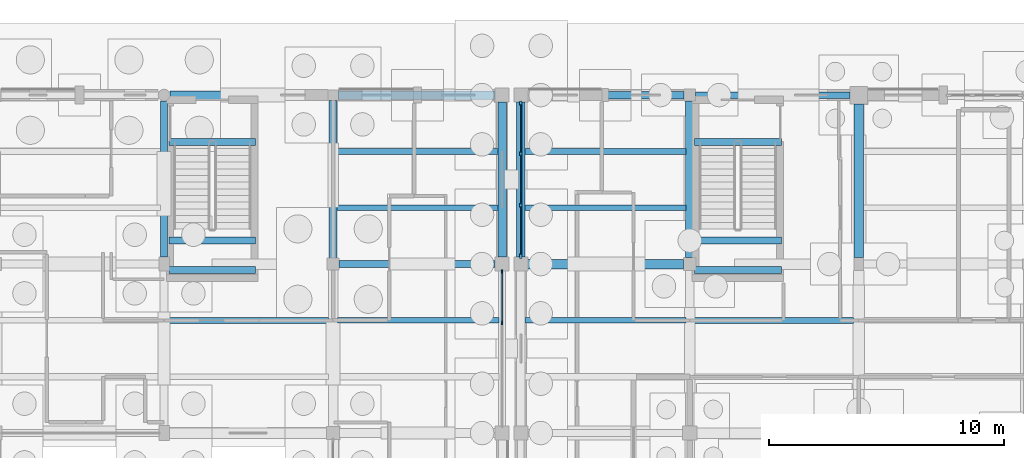
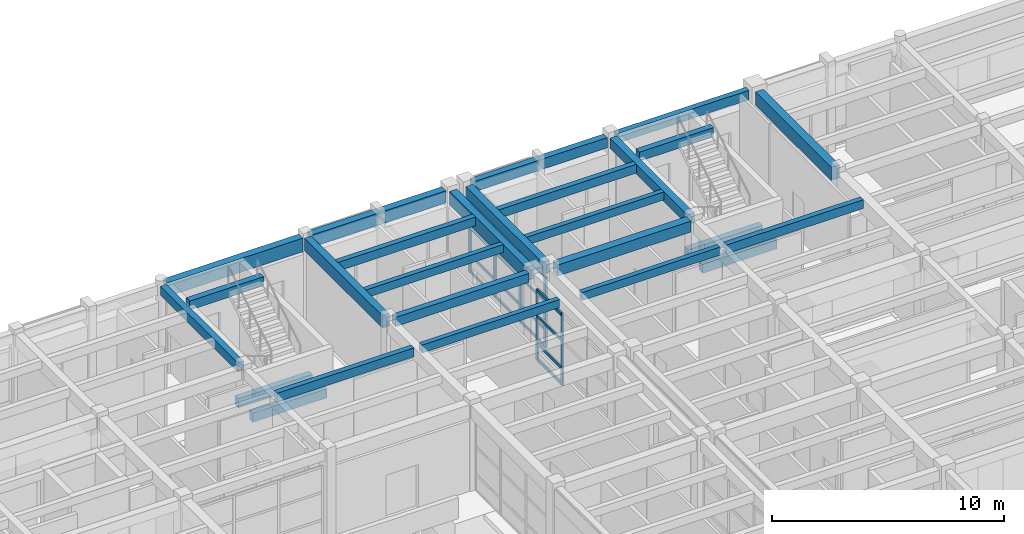
# One storey, part 71 of 143: 26 beams, 22 members, 2 elements without a shape of their own.
"""IFC4 building model written with IfcOpenShell, lengths in metres."""

import ifcopenshell
import ifcopenshell.guid

model = None  # the IFC model being written
_history = None  # IfcOwnerHistory: only IFC2X3 demands one
_inside = {}  # id of a spatial element -> (the spatial element, [elements in it])
_under = {}  # id of a project, library or spatial element -> (it, [spatial elements below it])
_declared = {}  # id of a project -> (the project, [libraries it declares])
_typed = {}  # id of a type object -> (the type object, [elements of that type])
_made_of = {}  # id of a material, layer set ... -> (it, [elements and type objects made of it])


def new_model(schema):
    """Start an empty IFC model of exactly this schema.

    Asked for "IFC4X3", IfcOpenShell would pick the latest addendum, in which some entities
    have other attributes; the version numbers below select the first issue.
    IFC2X3 requires an IfcOwnerHistory on every rooted entity: one is made here for all.
    """
    global model, _history
    if schema == "IFC4X3":
        model = ifcopenshell.file(schema_version=(4, 3, 0, 0))
    else:
        model = ifcopenshell.file(schema=schema)
    _inside.clear()
    _under.clear()
    _declared.clear()
    _typed.clear()
    _made_of.clear()
    _history = None
    if model.schema == "IFC2X3":
        org = make("IfcOrganization", Name="unknown")
        user = make(
            "IfcPersonAndOrganization",
            ThePerson=make("IfcPerson", FamilyName="unknown"),
            TheOrganization=org,
        )
        app = make(
            "IfcApplication",
            ApplicationDeveloper=org,
            Version="unknown",
            ApplicationFullName="unknown",
            ApplicationIdentifier="unknown",
        )
        _history = make(
            "IfcOwnerHistory",
            OwningUser=user,
            OwningApplication=app,
            ChangeAction="ADDED",
            CreationDate=0,
        )
    return model


def make(cls, **values):
    """One entity of the class cls with the attributes given. An attribute that is None is left unset."""
    return model.create_entity(
        cls, **{name: value for name, value in values.items() if value is not None}
    )


def rooted(cls, **values):
    """An entity with a GlobalId (a new one), such as an element, a storey or a relation."""
    return make(cls, GlobalId=ifcopenshell.guid.new(), OwnerHistory=_history, **values)


def si_unit(unit_type, name, prefix=None):
    """IfcSIUnit, for example si_unit("LENGTHUNIT", "METRE", prefix="MILLI")."""
    return make("IfcSIUnit", UnitType=unit_type, Prefix=prefix, Name=name)


def assignment(units):
    """IfcUnitAssignment: the units of a project."""
    return None if units is None else make("IfcUnitAssignment", Units=units)


def point(xyz):
    """IfcCartesianPoint."""
    return None if xyz is None else make("IfcCartesianPoint", Coordinates=xyz)


def direction(xyz):
    """IfcDirection."""
    return None if xyz is None else make("IfcDirection", DirectionRatios=xyz)


def frame(location, z_axis=None, x_axis=None):
    """IfcAxis2Placement3D, a coordinate frame: its origin and axes. An axis left out is left unset."""
    return make(
        "IfcAxis2Placement3D",
        Location=point(location),
        Axis=direction(z_axis),
        RefDirection=direction(x_axis),
    )


def frame_2d(location, x_axis=None):
    """IfcAxis2Placement2D, a coordinate frame in the plane: its origin and x axis."""
    return make(
        "IfcAxis2Placement2D", Location=point(location), RefDirection=direction(x_axis)
    )


def origin():
    """The frame at (0, 0, 0) with its axes left unset."""
    return frame((0.0, 0.0, 0.0))


def origin_2d():
    """The frame at (0, 0) in the plane with its x axis left unset."""
    return frame_2d((0.0, 0.0))


def place(relative_to, where):
    """IfcLocalPlacement: puts the frame where relative to a parent placement (None: the world)."""
    return make(
        "IfcLocalPlacement", PlacementRelTo=relative_to, RelativePlacement=where
    )


def context(
    kind, dimensions, precision=None, world=None, true_north=None, identifier=None
):
    """IfcGeometricRepresentationContext, for example the 3D "Model" context."""
    return make(
        "IfcGeometricRepresentationContext",
        ContextIdentifier=identifier,
        ContextType=kind,
        CoordinateSpaceDimension=dimensions,
        Precision=precision,
        WorldCoordinateSystem=world,
        TrueNorth=true_north,
    )


def subcontext(parent, identifier, kind, view, scale=None):
    """IfcGeometricRepresentationSubContext, for example "Body" below "Model"."""
    return make(
        "IfcGeometricRepresentationSubContext",
        ContextIdentifier=identifier,
        ContextType=kind,
        ParentContext=parent,
        TargetScale=scale,
        TargetView=view,
    )


def project(units=None, contexts=None):
    """IfcProject with its units and contexts."""
    return rooted(
        "IfcProject",
        Name="project",
        RepresentationContexts=contexts,
        UnitsInContext=assignment(units),
    )


def spatial(cls, under=None, at=None, **own):
    """A site, building, storey or space (cls), placed at a placement, below another one or the project."""
    s = rooted(cls, ObjectPlacement=at, **own)
    if under is not None:
        _under.setdefault(under.id(), (under, []))[1].append(s)
    return s


def profile(cls, at=None, kind="AREA", **sizes):
    """A parametric profile (cls). Its sizes go by their IFC names, for example OverallWidth=200.0."""
    return make(cls, ProfileType=kind, Position=at, **sizes)


def rectangle(**sizes):
    """IfcRectangleProfileDef."""
    return profile("IfcRectangleProfileDef", **sizes)


def extrude(swept, where, along, depth):
    """IfcExtrudedAreaSolid: the profile swept, set in the frame where, extruded along a direction by depth."""
    return make(
        "IfcExtrudedAreaSolid",
        SweptArea=swept,
        Position=where,
        ExtrudedDirection=direction(along),
        Depth=depth,
    )


def shape(context_of_items, identifier, shape_type, items):
    """IfcShapeRepresentation: the items that make up one representation, for example the "Body"."""
    return make(
        "IfcShapeRepresentation",
        ContextOfItems=context_of_items,
        RepresentationIdentifier=identifier,
        RepresentationType=shape_type,
        Items=items,
    )


def material(Name=None, Category=None):
    """IfcMaterial."""
    return make("IfcMaterial", Name=Name, Category=Category)


def material_profile(
    of_material, cross_section, Name=None, Category=None, Priority=None
):
    """IfcMaterialProfile: a cross section and its material."""
    return make(
        "IfcMaterialProfile",
        Name=Name,
        Material=of_material,
        Profile=cross_section,
        Priority=Priority,
        Category=Category,
    )


def profile_set(profiles, Name=None, composite=None):
    """IfcMaterialProfileSet."""
    return make(
        "IfcMaterialProfileSet",
        Name=Name,
        MaterialProfiles=profiles,
        CompositeProfile=composite,
    )


def made_of(thing, what):
    """Note that an element or type object is made of a material, layer set ...; save() writes the relation."""
    if what is not None:
        _made_of.setdefault(what.id(), (what, []))[1].append(thing)
    return thing


def type_object(cls, material=None, **own):
    """A type object (cls), such as IfcWallType, which elements share."""
    return made_of(rooted(cls, **own), material)


def element(
    cls,
    number,
    at=None,
    inside=None,
    cuts=None,
    type_object=None,
    material=None,
    context=None,
    identifier="Body",
    shape_type=None,
    held_by="IfcProductDefinitionShape",
    body=None,
    shapes=None,
    **own,
):
    """One element of the class cls, such as IfcWall. Its Tag is "e" and its number.

    at: its placement. inside: the storey or other place that contains it. cuts: it is an
    opening in that element (IfcRelVoidsElement). A single representation is given by context,
    identifier, shape_type and body (its items); several are given by shapes. held_by: the class
    of the entity that holds the representations. save() writes the other relations.
    """
    e = rooted(cls, Tag="e%d" % number, ObjectPlacement=at, **own)
    if body is not None:
        shapes = [shape(context, identifier, shape_type, body)]
    if shapes is not None:
        e.Representation = make(held_by, Representations=shapes)
    if inside is not None:
        _inside.setdefault(inside.id(), (inside, []))[1].append(e)
    if cuts is not None:
        rooted(
            "IfcRelVoidsElement", RelatingBuildingElement=cuts, RelatedOpeningElement=e
        )
    if type_object is not None:
        _typed.setdefault(type_object.id(), (type_object, []))[1].append(e)
    return made_of(e, material)


def aggregate(whole, parts):
    """IfcRelAggregates: a whole, such as a stair, and the parts it consists of."""
    return rooted("IfcRelAggregates", RelatingObject=whole, RelatedObjects=parts)


def save(model, path):
    """Write the relations noted so far, then the file.

    IfcRelAggregates (storeys below a building ...), IfcRelContainedInSpatialStructure (elements
    in a storey), IfcRelDefinesByType, IfcRelAssociatesMaterial and IfcRelDeclares: one each for
    every whole, place, type object, material and project.
    """
    for whole, parts in _under.values():
        aggregate(whole, parts)
    for where, things in _inside.values():
        rooted(
            "IfcRelContainedInSpatialStructure",
            RelatedElements=things,
            RelatingStructure=where,
        )
    for kind, things in _typed.values():
        rooted("IfcRelDefinesByType", RelatedObjects=things, RelatingType=kind)
    for what, things in _made_of.values():
        rooted("IfcRelAssociatesMaterial", RelatedObjects=things, RelatingMaterial=what)
    for by, libraries in _declared.values():
        rooted("IfcRelDeclares", RelatingContext=by, RelatedDefinitions=libraries)
    model.write(path)


model = new_model("IFC4")

# Units and contexts
model_context = context("Model", 3, precision=1e-05, world=origin(), true_north=direction((0.0, 1.0)))
body_context = subcontext(model_context, "Body", "Model", "MODEL_VIEW")
ifc_project = project(units=[si_unit("LENGTHUNIT", "METRE"), si_unit("AREAUNIT", "SQUARE_METRE"), si_unit("VOLUMEUNIT", "CUBIC_METRE"), si_unit("PLANEANGLEUNIT", "RADIAN"), si_unit("MASSUNIT", "GRAM", prefix="KILO")], contexts=[model_context])

# Site, building, storey
site_placement = place(None, origin())
site = spatial("IfcSite", under=ifc_project, at=site_placement, CompositionType="ELEMENT")
building_placement = place(site_placement, origin())
building = spatial("IfcBuilding", under=site, at=building_placement, Name="Steenspoor Specialist Clinic", CompositionType="ELEMENT")
storey_placement = place(building_placement, origin())
storey = spatial("IfcBuildingStorey", under=building, at=storey_placement, Name="L00", CompositionType="ELEMENT", Elevation=0.0)

# Beams
ifc_material_1 = material(Name="Concrete C35/45", Category="concrete")
ifc_material_profile_1 = material_profile(ifc_material_1, rectangle(XDim=0.300048828125, YDim=0.47998046875, at=origin_2d()), Name="RC-BM-300X480")
ifc_profile_set_1 = profile_set([ifc_material_profile_1], Name="Concrete C35/45")
beam_type_1 = type_object("IfcBeamType", Name="BM-RC-300X480", PredefinedType="BEAM", material=ifc_profile_set_1)
for number, where, z_axis, x_axis, name in (
    (1, (103.0, 102.14990234375, 1.9599609375), (1.0, 0.0, 0.0), (0.0, 1.0, 0.0), "Stair Mid-Landing Bearer 1 ST-V4B L00"),
    (2, (103.0, 100.89990234375, 1.9599609375), (1.0, 0.0, 0.0), (0.0, 1.0, 0.0), "Stair Mid-Landing Bearer 2 ST-V4B L00"),
    (3, (103.0, 106.35009765625, 4.56005859375), (1.0, 0.0, 0.0), (0.0, 1.0, 0.0), "Stair Well Trimmer Beam ST-V4B L00"),
):
    element("IfcBeam", number, at=place(storey_placement, frame(where, z_axis=z_axis, x_axis=x_axis)), inside=storey, type_object=beam_type_1, Name=name, PredefinedType="BEAM", context=body_context, shape_type="SweptSolid", body=[
        extrude(rectangle(XDim=0.300048828125, YDim=0.47998046875, at=origin_2d()), origin(), (0.0, 0.0, 1.0), 3.699951171875),
    ])
for number, where, z_axis, x_axis, name in (
    (4, (125.39990234375, 102.14990234375, 1.9599609375), (1.0, 0.0, 0.0), (0.0, 1.0, 0.0), "Stair Mid-Landing Bearer 1 ST-V6A L00"),
    (5, (125.39990234375, 100.89990234375, 1.9599609375), (1.0, 0.0, 0.0), (0.0, 1.0, 0.0), "Stair Mid-Landing Bearer 2 ST-V6A L00"),
    (6, (125.39990234375, 106.35009765625, 4.56005859375), (1.0, 0.0, 0.0), (0.0, 1.0, 0.0), "Stair Well Trimmer Beam ST-V6A L00"),
):
    element("IfcBeam", number, at=place(storey_placement, frame(where, z_axis=z_axis, x_axis=x_axis)), inside=storey, type_object=beam_type_1, Name=name, PredefinedType="BEAM", context=body_context, shape_type="SweptSolid", body=[
        extrude(rectangle(XDim=0.300048828125, YDim=0.47998046875, at=origin_2d()), origin(), (0.0, 0.0, 1.0), 3.7001953125),
    ])
for number, where, z_axis, x_axis, name in (
    (7, (110.2451171875, 101.14990234375, 4.31005859375), (1.0, 0.0, 0.0), (0.0, 1.0, 0.0), "BM-V4-L00-X0331"),
    (8, (102.800048828125, 101.445068359375, 4.31005859375), (0.0, 1.0, 0.0), (-1.0, 0.0, 0.0), "BM-V4-L00-Y0384"),
):
    element("IfcBeam", number, at=place(storey_placement, frame(where, z_axis=z_axis, x_axis=x_axis)), inside=storey, type_object=beam_type_1, Name=name, PredefinedType="BEAM", context=body_context, shape_type="SweptSolid", body=[
        extrude(rectangle(XDim=0.300048828125, YDim=0.47998046875, at=origin_2d()), origin(), (0.0, 0.0, 1.0), 6.659912109375),
    ])
ifc_material_profile_2 = material_profile(ifc_material_1, rectangle(XDim=0.35009765625, YDim=0.52001953125, at=origin_2d()), Name="RC-BM-350X520")
ifc_profile_set_2 = profile_set([ifc_material_profile_2], Name="Concrete C35/45")
beam_type_2 = type_object("IfcBeamType", Name="BM-RC-350X520", PredefinedType="BEAM", material=ifc_profile_set_2)
beam_1_placement = place(storey_placement, frame((125.199951171875, 101.419921875, 4.260009765625), z_axis=(0.0, 1.0, 0.0), x_axis=(-1.0, 0.0, 0.0)))
element("IfcBeam", 9, at=beam_1_placement, inside=storey, type_object=beam_type_2, Name="BM-V6-L00-Y1402", PredefinedType="BEAM", context=body_context, shape_type="SweptSolid", body=[
    extrude(rectangle(XDim=0.35009765625, YDim=0.52001953125, at=origin_2d()), origin(), (0.0, 0.0, 1.0), 6.68505859375),
])
ifc_material_profile_3 = material_profile(ifc_material_1, rectangle(XDim=0.35009765625, YDim=0.64990234375, at=origin_2d()), Name="RC-BM-350X650")
ifc_profile_set_3 = profile_set([ifc_material_profile_3], Name="Concrete C35/45")
beam_type_3 = type_object("IfcBeamType", Name="BM-RC-350X650", PredefinedType="BEAM", material=ifc_profile_set_3)
beam_2_placement = place(storey_placement, frame((110.0, 101.39501953125, 4.22509765625), z_axis=(0.0, 1.0, 0.0), x_axis=(-1.0, 0.0, 0.0)))
element("IfcBeam", 10, at=beam_2_placement, inside=storey, type_object=beam_type_3, Name="BM-V4-L00-Y0390", PredefinedType="BEAM", context=body_context, shape_type="SweptSolid", body=[
    extrude(rectangle(XDim=0.35009765625, YDim=0.64990234375, at=origin_2d()), origin(), (0.0, 0.0, 1.0), 6.73486328125),
])
ifc_material_profile_4 = material_profile(ifc_material_1, rectangle(XDim=0.39990234375, YDim=0.580078125, at=origin_2d()), Name="RC-BM-400X580")
ifc_profile_set_4 = profile_set([ifc_material_profile_4], Name="Concrete C35/45")
beam_type_4 = type_object("IfcBeamType", Name="BM-RC-400X580", PredefinedType="BEAM", material=ifc_profile_set_4)
beam_3_placement = place(storey_placement, frame((118.294921875, 101.14990234375, 4.22998046875), z_axis=(1.0, 0.0, 0.0), x_axis=(0.0, 1.0, 0.0)))
element("IfcBeam", 11, at=beam_3_placement, inside=storey, type_object=beam_type_4, Name="BM-V6-L00-X1384", PredefinedType="BEAM", context=body_context, shape_type="SweptSolid", body=[
    extrude(rectangle(XDim=0.39990234375, YDim=0.580078125, at=origin_2d()), origin(), (0.0, 0.0, 1.0), 6.635009765625),
])
ifc_material_profile_5 = material_profile(ifc_material_1, rectangle(XDim=0.39990234375, YDim=0.699951171875, at=origin_2d()), Name="RC-BM-400X700")
ifc_profile_set_5 = profile_set([ifc_material_profile_5], Name="Concrete C35/45")
beam_type_5 = type_object("IfcBeamType", Name="BM-RC-400X700", PredefinedType="BEAM", material=ifc_profile_set_5)
beam_4_placement = place(storey_placement, frame((132.39990234375, 101.419921875, 4.169921875), z_axis=(0.0, 1.0, 0.0), x_axis=(-1.0, 0.0, 0.0)))
element("IfcBeam", 12, at=beam_4_placement, inside=storey, type_object=beam_type_5, Name="BM-V6-L00-Y1407", PredefinedType="BEAM", context=body_context, shape_type="SweptSolid", body=[
    extrude(rectangle(XDim=0.39990234375, YDim=0.699951171875, at=origin_2d()), origin(), (0.0, 0.0, 1.0), 6.56005859375),
])

# Curtain wall, members
ifc_material_2 = material(Name="Thermally broken aluminium and low-emissivity glass", Category="aluminium")
curtain_wall_type_1 = type_object("IfcCurtainWallType", Name="CW-HALL-650X820", PredefinedType="USERDEFINED", material=ifc_material_2)
curtain_wall_1_placement = place(storey_placement, origin())
curtain_wall_1 = element("IfcCurtainWall", 13, at=curtain_wall_1_placement, inside=storey, type_object=curtain_wall_type_1, Name="Unitised Curtain Wall CW-V4-L00-050", ObjectType="UNITISED GLAZING", PredefinedType="USERDEFINED")
ifc_material_3 = material(Name="Thermally broken aluminium 6063-T6", Category="aluminium")
ifc_material_profile_6 = material_profile(ifc_material_3, rectangle(XDim=0.070068359375, YDim=0.1650390625, at=origin_2d()), Name="CWM-70X165")
ifc_profile_set_6 = profile_set([ifc_material_profile_6], Name="Thermally broken aluminium 6063-T6")
member_type_1 = type_object("IfcMemberType", Name="CW-MULL-70X165", PredefinedType="MULLION", material=ifc_profile_set_6)
member_1_placement = place(storey_placement, frame((117.199951171875, 100.81494140625, 0.0), z_axis=(0.0, 0.0, 1.0), x_axis=(1.0, 0.0, 0.0)))
member_1 = element("IfcMember", 14, at=member_1_placement, type_object=member_type_1, Name="CW-02 mullion 1", PredefinedType="MULLION", context=body_context, shape_type="SweptSolid", body=[
    extrude(rectangle(XDim=0.070068359375, YDim=0.1650390625, at=origin_2d()), origin(), (0.0, 0.0, 1.0), 3.72998046875),
])
member_2_placement = place(storey_placement, frame((117.199951171875, 98.64990234375, 0.0), z_axis=(0.0, 0.0, 1.0), x_axis=(1.0, 0.0, 0.0)))
member_2 = element("IfcMember", 15, at=member_2_placement, type_object=member_type_1, Name="CW-02 mullion 2", PredefinedType="MULLION", context=body_context, shape_type="SweptSolid", body=[
    extrude(rectangle(XDim=0.070068359375, YDim=0.1650390625, at=origin_2d()), origin(), (0.0, 0.0, 1.0), 3.72998046875),
])

curtain_wall_type_2 = type_object("IfcCurtainWallType", Name="CW-STR-220X355", PredefinedType="USERDEFINED", material=ifc_material_2)
curtain_wall_2_placement = place(storey_placement, origin())
curtain_wall_2 = element("IfcCurtainWall", 16, at=curtain_wall_2_placement, inside=storey, type_object=curtain_wall_type_2, Name="Unitised Curtain Wall CW-V6-L00-167", ObjectType="UNITISED GLAZING", PredefinedType="USERDEFINED")
ifc_material_profile_7 = material_profile(ifc_material_3, rectangle(XDim=0.090087890625, YDim=0.199951171875, at=origin_2d()), Name="CWM-90X200")
ifc_profile_set_7 = profile_set([ifc_material_profile_7], Name="Thermally broken aluminium 6063-T6")
member_type_2 = type_object("IfcMemberType", Name="CW-MULL-90X200", PredefinedType="MULLION", material=ifc_profile_set_7)
member_3_placement = place(storey_placement, frame((118.0, 101.4951171875, 0.0), z_axis=(0.0, 0.0, 1.0), x_axis=(-1.0, 0.0, 0.0)))
member_3 = element("IfcMember", 17, at=member_3_placement, type_object=member_type_2, Name="CW-23 mullion 1", PredefinedType="MULLION", context=body_context, shape_type="SweptSolid", body=[
    extrude(rectangle(XDim=0.090087890625, YDim=0.199951171875, at=origin_2d()), origin(), (0.0, 0.0, 1.0), 3.699951171875),
])
member_4_placement = place(storey_placement, frame((118.0, 103.64990234375, 0.0), z_axis=(0.0, 0.0, 1.0), x_axis=(-1.0, 0.0, 0.0)))
member_4 = element("IfcMember", 18, at=member_4_placement, type_object=member_type_2, Name="CW-23 mullion 2", PredefinedType="MULLION", context=body_context, shape_type="SweptSolid", body=[
    extrude(rectangle(XDim=0.090087890625, YDim=0.199951171875, at=origin_2d()), origin(), (0.0, 0.0, 1.0), 3.699951171875),
])
member_5_placement = place(storey_placement, frame((118.0, 105.85009765625, 0.0), z_axis=(0.0, 0.0, 1.0), x_axis=(-1.0, 0.0, 0.0)))
member_5 = element("IfcMember", 19, at=member_5_placement, type_object=member_type_2, Name="CW-23 mullion 3", PredefinedType="MULLION", context=body_context, shape_type="SweptSolid", body=[
    extrude(rectangle(XDim=0.090087890625, YDim=0.199951171875, at=origin_2d()), origin(), (0.0, 0.0, 1.0), 3.699951171875),
])
member_6_placement = place(storey_placement, frame((118.0, 108.0048828125, 0.0), z_axis=(0.0, 0.0, 1.0), x_axis=(-1.0, 0.0, 0.0)))
member_6 = element("IfcMember", 20, at=member_6_placement, type_object=member_type_2, Name="CW-23 mullion 4", PredefinedType="MULLION", context=body_context, shape_type="SweptSolid", body=[
    extrude(rectangle(XDim=0.090087890625, YDim=0.199951171875, at=origin_2d()), origin(), (0.0, 0.0, 1.0), 3.699951171875),
])
ifc_material_profile_8 = material_profile(ifc_material_3, rectangle(XDim=0.06494140625, YDim=0.1298828125, at=origin_2d()), Name="CWT-65X130")
ifc_profile_set_8 = profile_set([ifc_material_profile_8], Name="Thermally broken aluminium 6063-T6")
member_type_3 = type_object("IfcMemberType", Name="CW-TRAN-65X130", PredefinedType="USERDEFINED", material=ifc_profile_set_8)
member_7_placement = place(storey_placement, frame((118.0, 101.5400390625, 0.032470703125), z_axis=(0.0, 1.0, 0.0), x_axis=(-1.0, 0.0, 0.0)))
member_7 = element("IfcMember", 21, at=member_7_placement, type_object=member_type_3, Name="CW-23 transom 1.1", ObjectType="TRANSOM", PredefinedType="USERDEFINED", context=body_context, shape_type="SweptSolid", body=[
    extrude(rectangle(XDim=0.06494140625, YDim=0.1298828125, at=origin_2d()), origin(), (0.0, 0.0, 1.0), 2.06494140625),
])
member_8_placement = place(storey_placement, frame((118.0, 101.5400390625, 0.89990234375), z_axis=(0.0, 1.0, 0.0), x_axis=(-1.0, 0.0, 0.0)))
member_8 = element("IfcMember", 22, at=member_8_placement, type_object=member_type_3, Name="CW-23 transom 1.2", ObjectType="TRANSOM", PredefinedType="USERDEFINED", context=body_context, shape_type="SweptSolid", body=[
    extrude(rectangle(XDim=0.06494140625, YDim=0.1298828125, at=origin_2d()), origin(), (0.0, 0.0, 1.0), 2.06494140625),
])
member_9_placement = place(storey_placement, frame((118.0, 101.5400390625, 2.35009765625), z_axis=(0.0, 1.0, 0.0), x_axis=(-1.0, 0.0, 0.0)))
member_9 = element("IfcMember", 23, at=member_9_placement, type_object=member_type_3, Name="CW-23 transom 1.3", ObjectType="TRANSOM", PredefinedType="USERDEFINED", context=body_context, shape_type="SweptSolid", body=[
    extrude(rectangle(XDim=0.06494140625, YDim=0.1298828125, at=origin_2d()), origin(), (0.0, 0.0, 1.0), 2.06494140625),
])
member_10_placement = place(storey_placement, frame((118.0, 101.5400390625, 3.66748046875), z_axis=(0.0, 1.0, 0.0), x_axis=(-1.0, 0.0, 0.0)))
member_10 = element("IfcMember", 24, at=member_10_placement, type_object=member_type_3, Name="CW-23 transom 1.4", ObjectType="TRANSOM", PredefinedType="USERDEFINED", context=body_context, shape_type="SweptSolid", body=[
    extrude(rectangle(XDim=0.06494140625, YDim=0.1298828125, at=origin_2d()), origin(), (0.0, 0.0, 1.0), 2.06494140625),
])
member_11_placement = place(storey_placement, frame((118.0, 103.695068359375, 0.032470703125), z_axis=(0.0, 1.0, 0.0), x_axis=(-1.0, 0.0, 0.0)))
member_11 = element("IfcMember", 25, at=member_11_placement, type_object=member_type_3, Name="CW-23 transom 2.1", ObjectType="TRANSOM", PredefinedType="USERDEFINED", context=body_context, shape_type="SweptSolid", body=[
    extrude(rectangle(XDim=0.06494140625, YDim=0.1298828125, at=origin_2d()), origin(), (0.0, 0.0, 1.0), 2.10986328125),
])
member_12_placement = place(storey_placement, frame((118.0, 103.695068359375, 0.89990234375), z_axis=(0.0, 1.0, 0.0), x_axis=(-1.0, 0.0, 0.0)))
member_12 = element("IfcMember", 26, at=member_12_placement, type_object=member_type_3, Name="CW-23 transom 2.2", ObjectType="TRANSOM", PredefinedType="USERDEFINED", context=body_context, shape_type="SweptSolid", body=[
    extrude(rectangle(XDim=0.06494140625, YDim=0.1298828125, at=origin_2d()), origin(), (0.0, 0.0, 1.0), 2.10986328125),
])
member_13_placement = place(storey_placement, frame((118.0, 103.695068359375, 2.35009765625), z_axis=(0.0, 1.0, 0.0), x_axis=(-1.0, 0.0, 0.0)))
member_13 = element("IfcMember", 27, at=member_13_placement, type_object=member_type_3, Name="CW-23 transom 2.3", ObjectType="TRANSOM", PredefinedType="USERDEFINED", context=body_context, shape_type="SweptSolid", body=[
    extrude(rectangle(XDim=0.06494140625, YDim=0.1298828125, at=origin_2d()), origin(), (0.0, 0.0, 1.0), 2.10986328125),
])
member_14_placement = place(storey_placement, frame((118.0, 103.695068359375, 3.66748046875), z_axis=(0.0, 1.0, 0.0), x_axis=(-1.0, 0.0, 0.0)))
member_14 = element("IfcMember", 28, at=member_14_placement, type_object=member_type_3, Name="CW-23 transom 2.4", ObjectType="TRANSOM", PredefinedType="USERDEFINED", context=body_context, shape_type="SweptSolid", body=[
    extrude(rectangle(XDim=0.06494140625, YDim=0.1298828125, at=origin_2d()), origin(), (0.0, 0.0, 1.0), 2.10986328125),
])
member_15_placement = place(storey_placement, frame((118.0, 105.89501953125, 0.032470703125), z_axis=(0.0, 1.0, 0.0), x_axis=(-1.0, 0.0, 0.0)))
member_15 = element("IfcMember", 29, at=member_15_placement, type_object=member_type_3, Name="CW-23 transom 3.1", ObjectType="TRANSOM", PredefinedType="USERDEFINED", context=body_context, shape_type="SweptSolid", body=[
    extrude(rectangle(XDim=0.06494140625, YDim=0.1298828125, at=origin_2d()), origin(), (0.0, 0.0, 1.0), 2.06494140625),
])
member_16_placement = place(storey_placement, frame((118.0, 105.89501953125, 0.89990234375), z_axis=(0.0, 1.0, 0.0), x_axis=(-1.0, 0.0, 0.0)))
member_16 = element("IfcMember", 30, at=member_16_placement, type_object=member_type_3, Name="CW-23 transom 3.2", ObjectType="TRANSOM", PredefinedType="USERDEFINED", context=body_context, shape_type="SweptSolid", body=[
    extrude(rectangle(XDim=0.06494140625, YDim=0.1298828125, at=origin_2d()), origin(), (0.0, 0.0, 1.0), 2.06494140625),
])
member_17_placement = place(storey_placement, frame((118.0, 105.89501953125, 2.35009765625), z_axis=(0.0, 1.0, 0.0), x_axis=(-1.0, 0.0, 0.0)))
member_17 = element("IfcMember", 31, at=member_17_placement, type_object=member_type_3, Name="CW-23 transom 3.3", ObjectType="TRANSOM", PredefinedType="USERDEFINED", context=body_context, shape_type="SweptSolid", body=[
    extrude(rectangle(XDim=0.06494140625, YDim=0.1298828125, at=origin_2d()), origin(), (0.0, 0.0, 1.0), 2.06494140625),
])
member_18_placement = place(storey_placement, frame((118.0, 105.89501953125, 3.66748046875), z_axis=(0.0, 1.0, 0.0), x_axis=(-1.0, 0.0, 0.0)))
member_18 = element("IfcMember", 32, at=member_18_placement, type_object=member_type_3, Name="CW-23 transom 3.4", ObjectType="TRANSOM", PredefinedType="USERDEFINED", context=body_context, shape_type="SweptSolid", body=[
    extrude(rectangle(XDim=0.06494140625, YDim=0.1298828125, at=origin_2d()), origin(), (0.0, 0.0, 1.0), 2.06494140625),
])
aggregate(curtain_wall_2, [member_3, member_4, member_5, member_6, member_7, member_8, member_9, member_10, member_11, member_12, member_13, member_14, member_15, member_16, member_17, member_18])

# Member
ifc_material_profile_9 = material_profile(ifc_material_3, rectangle(XDim=0.080078125, YDim=0.159912109375, at=origin_2d()), Name="CWT-80X160")
ifc_profile_set_9 = profile_set([ifc_material_profile_9], Name="Thermally broken aluminium 6063-T6")
member_type_4 = type_object("IfcMemberType", Name="CW-TRAN-80X160", PredefinedType="USERDEFINED", material=ifc_profile_set_9)
member_19_placement = place(storey_placement, frame((117.199951171875, 100.780029296875, 0.0400390625), z_axis=(0.0, -1.0, 0.0), x_axis=(1.0, 0.0, 0.0)))
member_19 = element("IfcMember", 33, at=member_19_placement, type_object=member_type_4, Name="CW-02 transom 1.1", ObjectType="TRANSOM", PredefinedType="USERDEFINED", context=body_context, shape_type="SweptSolid", body=[
    extrude(rectangle(XDim=0.080078125, YDim=0.159912109375, at=origin_2d()), origin(), (0.0, 0.0, 1.0), 2.094970703125),
])

member_20_placement = place(storey_placement, frame((117.199951171875, 100.780029296875, 0.89990234375), z_axis=(0.0, -1.0, 0.0), x_axis=(1.0, 0.0, 0.0)))
member_20 = element("IfcMember", 34, at=member_20_placement, type_object=member_type_4, Name="CW-02 transom 1.2", ObjectType="TRANSOM", PredefinedType="USERDEFINED", context=body_context, shape_type="SweptSolid", body=[
    extrude(rectangle(XDim=0.080078125, YDim=0.159912109375, at=origin_2d()), origin(), (0.0, 0.0, 1.0), 2.094970703125),
])

member_21_placement = place(storey_placement, frame((117.199951171875, 100.780029296875, 2.35009765625), z_axis=(0.0, -1.0, 0.0), x_axis=(1.0, 0.0, 0.0)))
member_21 = element("IfcMember", 35, at=member_21_placement, type_object=member_type_4, Name="CW-02 transom 1.3", ObjectType="TRANSOM", PredefinedType="USERDEFINED", context=body_context, shape_type="SweptSolid", body=[
    extrude(rectangle(XDim=0.080078125, YDim=0.159912109375, at=origin_2d()), origin(), (0.0, 0.0, 1.0), 2.094970703125),
])

member_22_placement = place(storey_placement, frame((117.199951171875, 100.780029296875, 3.68994140625), z_axis=(0.0, -1.0, 0.0), x_axis=(1.0, 0.0, 0.0)))
member_22 = element("IfcMember", 36, at=member_22_placement, type_object=member_type_4, Name="CW-02 transom 1.4", ObjectType="TRANSOM", PredefinedType="USERDEFINED", context=body_context, shape_type="SweptSolid", body=[
    extrude(rectangle(XDim=0.080078125, YDim=0.159912109375, at=origin_2d()), origin(), (0.0, 0.0, 1.0), 2.094970703125),
])

aggregate(curtain_wall_1, [member_1, member_2, member_19, member_20, member_21, member_22])

# Beams
ifc_material_profile_10 = material_profile(ifc_material_1, rectangle(XDim=0.239990234375, YDim=0.419921875, at=origin_2d()), Name="RC-JT-240X420")
ifc_profile_set_10 = profile_set([ifc_material_profile_10], Name="Concrete C35/45")
beam_type_6 = type_object("IfcBeamType", Name="JT-RC-240X420", PredefinedType="JOIST", material=ifc_profile_set_10)
beam_5_placement = place(storey_placement, frame((110.195068359375, 98.75, 4.340087890625), z_axis=(1.0, 0.0, 0.0), x_axis=(0.0, 1.0, 0.0)))
element("IfcBeam", 37, at=beam_5_placement, inside=storey, type_object=beam_type_6, Name="JT-V4-L00-0472", PredefinedType="JOIST", context=body_context, shape_type="SweptSolid", body=[
    extrude(rectangle(XDim=0.239990234375, YDim=0.419921875, at=origin_2d()), origin(), (0.0, 0.0, 1.0), 6.869873046875),
])
for number, where, z_axis, x_axis, name in (
    (38, (110.169921875, 103.550048828125, 4.340087890625), (1.0, 0.0, 0.0), (0.0, 1.0, 0.0), "JT-V4-L00-0473"),
    (39, (118.175048828125, 98.75, 4.31005859375), (1.0, 0.0, 0.0), (0.0, 1.0, 0.0), "JT-V6-L00-1437"),
    (40, (118.175048828125, 103.550048828125, 4.31005859375), (1.0, 0.0, 0.0), (0.0, 1.0, 0.0), "JT-V6-L00-1438"),
):
    element("IfcBeam", number, at=place(storey_placement, frame(where, z_axis=z_axis, x_axis=x_axis)), inside=storey, type_object=beam_type_6, Name=name, PredefinedType="JOIST", context=body_context, shape_type="SweptSolid", body=[
        extrude(rectangle(XDim=0.239990234375, YDim=0.419921875, at=origin_2d()), origin(), (0.0, 0.0, 1.0), 6.85498046875),
    ])
ifc_material_profile_11 = material_profile(ifc_material_1, rectangle(XDim=0.260009765625, YDim=0.4599609375, at=origin_2d()), Name="RC-JT-260X460")
ifc_profile_set_11 = profile_set([ifc_material_profile_11], Name="Concrete C35/45")
beam_type_7 = type_object("IfcBeamType", Name="JT-RC-260X460", PredefinedType="JOIST", material=ifc_profile_set_11)
beam_6_placement = place(storey_placement, frame((102.969970703125, 98.75, 4.320068359375), z_axis=(1.0, 0.0, 0.0), x_axis=(0.0, 1.0, 0.0)))
element("IfcBeam", 41, at=beam_6_placement, inside=storey, type_object=beam_type_7, Name="JT-V4-L00-0462", PredefinedType="JOIST", context=body_context, shape_type="SweptSolid", body=[
    extrude(rectangle(XDim=0.260009765625, YDim=0.4599609375, at=origin_2d()), origin(), (0.0, 0.0, 1.0), 6.8349609375),
])
for number, where, z_axis, x_axis, name in (
    (42, (110.169921875, 105.949951171875, 4.320068359375), (1.0, 0.0, 0.0), (0.0, 1.0, 0.0), "JT-V4-L00-0474"),
    (43, (118.175048828125, 105.949951171875, 4.2900390625), (1.0, 0.0, 0.0), (0.0, 1.0, 0.0), "JT-V6-L00-1439"),
):
    element("IfcBeam", number, at=place(storey_placement, frame(where, z_axis=z_axis, x_axis=x_axis)), inside=storey, type_object=beam_type_7, Name=name, PredefinedType="JOIST", context=body_context, shape_type="SweptSolid", body=[
        extrude(rectangle(XDim=0.260009765625, YDim=0.4599609375, at=origin_2d()), origin(), (0.0, 0.0, 1.0), 6.85498046875),
    ])
beam_7_placement = place(storey_placement, frame((125.3701171875, 98.75, 4.2900390625), z_axis=(1.0, 0.0, 0.0), x_axis=(0.0, 1.0, 0.0)))
element("IfcBeam", 44, at=beam_7_placement, inside=storey, type_object=beam_type_7, Name="JT-V6-L00-1447", PredefinedType="JOIST", context=body_context, shape_type="SweptSolid", body=[
    extrude(rectangle(XDim=0.260009765625, YDim=0.4599609375, at=origin_2d()), origin(), (0.0, 0.0, 1.0), 6.809814453125),
])
ifc_material_profile_12 = material_profile(ifc_material_1, rectangle(XDim=0.280029296875, YDim=0.5, at=origin_2d()), Name="RC-SP-280X500")
ifc_profile_set_12 = profile_set([ifc_material_profile_12], Name="Concrete C35/45")
beam_type_8 = type_object("IfcBeamType", Name="SP-RC-280X500", PredefinedType="SPANDREL", material=ifc_profile_set_12)
beam_8_placement = place(storey_placement, frame((125.445068359375, 108.35009765625, 4.27001953125), z_axis=(1.0, 0.0, 0.0), x_axis=(0.0, 1.0, 0.0)))
element("IfcBeam", 45, at=beam_8_placement, inside=storey, type_object=beam_type_8, Name="BM-V6-L00-X1388", PredefinedType="SPANDREL", context=body_context, shape_type="SweptSolid", body=[
    extrude(rectangle(XDim=0.280029296875, YDim=0.5, at=origin_2d()), origin(), (0.0, 0.0, 1.0), 6.5849609375),
])
ifc_material_profile_13 = material_profile(ifc_material_1, rectangle(XDim=0.320068359375, YDim=0.5400390625, at=origin_2d()), Name="RC-SP-320X540")
ifc_profile_set_13 = profile_set([ifc_material_profile_13], Name="Concrete C35/45")
beam_type_9 = type_object("IfcBeamType", Name="SP-RC-320X540", PredefinedType="SPANDREL", material=ifc_profile_set_13)
beam_9_placement = place(storey_placement, frame((118.294921875, 108.35009765625, 4.25), z_axis=(1.0, 0.0, 0.0), x_axis=(0.0, 1.0, 0.0)))
element("IfcBeam", 46, at=beam_9_placement, inside=storey, type_object=beam_type_9, Name="BM-V6-L00-X1387", PredefinedType="SPANDREL", context=body_context, shape_type="SweptSolid", body=[
    extrude(rectangle(XDim=0.320068359375, YDim=0.5400390625, at=origin_2d()), origin(), (0.0, 0.0, 1.0), 6.66015625),
])
ifc_material_profile_14 = material_profile(ifc_material_1, rectangle(XDim=0.360107421875, YDim=0.639892578125, at=origin_2d()), Name="RC-SP-360X640")
ifc_profile_set_14 = profile_set([ifc_material_profile_14], Name="Concrete C35/45")
beam_type_10 = type_object("IfcBeamType", Name="SP-RC-360X640", PredefinedType="SPANDREL", material=ifc_profile_set_14)
beam_10_placement = place(storey_placement, frame((110.219970703125, 108.35009765625, 4.22998046875), z_axis=(1.0, 0.0, 0.0), x_axis=(0.0, 1.0, 0.0)))
element("IfcBeam", 47, at=beam_10_placement, inside=storey, type_object=beam_type_10, Name="BM-V4-L00-X0340", PredefinedType="SPANDREL", context=body_context, shape_type="SweptSolid", body=[
    extrude(rectangle(XDim=0.360107421875, YDim=0.639892578125, at=origin_2d()), origin(), (0.0, 0.0, 1.0), 6.68505859375),
])
beam_11_placement = place(storey_placement, frame((118.0, 101.445068359375, 4.199951171875), z_axis=(0.0, 1.0, 0.0), x_axis=(-1.0, 0.0, 0.0)))
element("IfcBeam", 48, at=beam_11_placement, inside=storey, type_object=beam_type_10, Name="BM-V6-L00-Y1396", PredefinedType="SPANDREL", context=body_context, shape_type="SweptSolid", body=[
    extrude(rectangle(XDim=0.360107421875, YDim=0.639892578125, at=origin_2d()), origin(), (0.0, 0.0, 1.0), 6.60986328125),
])
ifc_material_profile_15 = material_profile(ifc_material_1, rectangle(XDim=0.360107421875, YDim=0.719970703125, at=origin_2d()), Name="RC-SP-360X720")
ifc_profile_set_15 = profile_set([ifc_material_profile_15], Name="Concrete C35/45")
beam_type_11 = type_object("IfcBeamType", Name="SP-RC-360X720", PredefinedType="SPANDREL", material=ifc_profile_set_15)
beam_12_placement = place(storey_placement, frame((103.044921875, 108.35009765625, 4.18994140625), z_axis=(1.0, 0.0, 0.0), x_axis=(0.0, 1.0, 0.0)))
element("IfcBeam", 49, at=beam_12_placement, inside=storey, type_object=beam_type_11, Name="BM-V4-L00-X0339", PredefinedType="SPANDREL", context=body_context, shape_type="SweptSolid", body=[
    extrude(rectangle(XDim=0.360107421875, YDim=0.719970703125, at=origin_2d()), origin(), (0.0, 0.0, 1.0), 6.735107421875),
])
beam_13_placement = place(storey_placement, frame((117.199951171875, 101.445068359375, 4.18994140625), z_axis=(0.0, 1.0, 0.0), x_axis=(-1.0, 0.0, 0.0)))
element("IfcBeam", 50, at=beam_13_placement, inside=storey, type_object=beam_type_11, Name="BM-V4-L00-Y0396", PredefinedType="SPANDREL", context=body_context, shape_type="SweptSolid", body=[
    extrude(rectangle(XDim=0.360107421875, YDim=0.719970703125, at=origin_2d()), origin(), (0.0, 0.0, 1.0), 6.60986328125),
])

save(model, "model.ifc")
